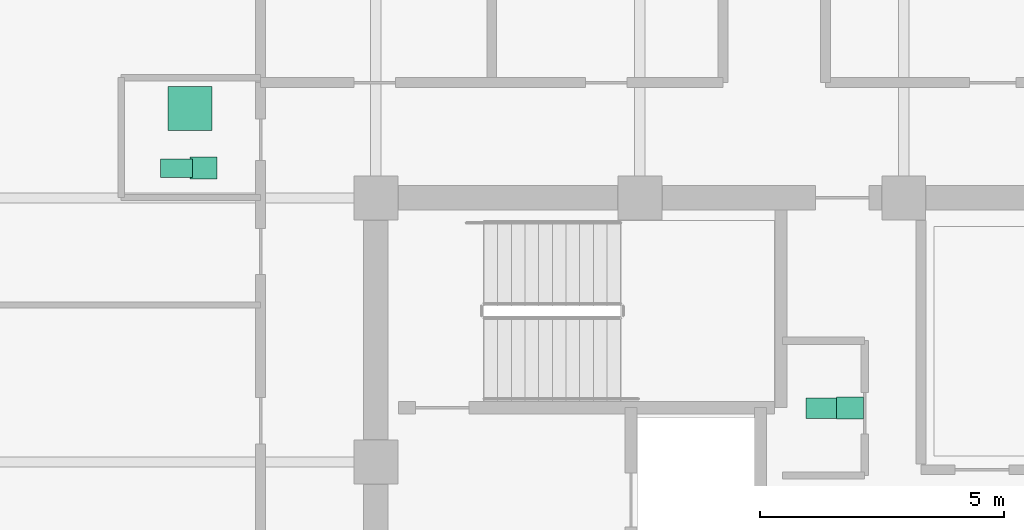
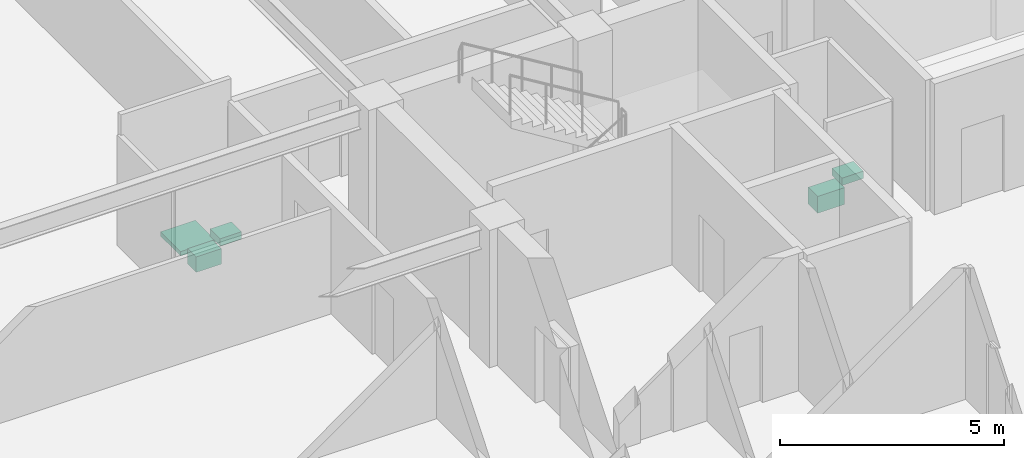
# One storey, part 31 of 31: 5 sanitary terminals.
"""IFC4 building model written with IfcOpenShell, lengths in metres."""

from ifc_helpers import new_model, si_unit, direction, frame, origin, origin_2d, place, context, subcontext, project, spatial, rectangle, extrude, material, type_object, element, save


model = new_model("IFC4")

# Units and contexts
model_context = context("Model", 3, precision=1e-05, world=origin(), true_north=direction((0.0, 1.0)))
body_context = subcontext(model_context, "Body", "Model", "MODEL_VIEW")
ifc_project = project(units=[si_unit("LENGTHUNIT", "METRE"), si_unit("AREAUNIT", "SQUARE_METRE"), si_unit("VOLUMEUNIT", "CUBIC_METRE"), si_unit("PLANEANGLEUNIT", "RADIAN"), si_unit("MASSUNIT", "GRAM", prefix="KILO")], contexts=[model_context])

# Site, building, storey
site_placement = place(None, origin())
site = spatial("IfcSite", under=ifc_project, at=site_placement, CompositionType="ELEMENT")
building_placement = place(site_placement, origin())
building = spatial("IfcBuilding", under=site, at=building_placement, Name="Surkhivell Harbour Commons", CompositionType="ELEMENT")
storey_placement = place(building_placement, frame((0.0, 0.0, 288.75)))
storey = spatial("IfcBuildingStorey", under=building, at=storey_placement, Name="L75", CompositionType="ELEMENT", Elevation=288.75)

# Sanitary terminals
ifc_material_1 = material(Name="Vitreous china washbasin", Category="other")
sanitary_terminal_type_1 = type_object("IfcSanitaryTerminalType", Name="SAN-BSN", PredefinedType="WASHHANDBASIN", material=ifc_material_1)
for number, where, z_axis, x_axis, name in (
    (1, (-1.10009765625, 6.5, 0.72021484375), (0.0, 0.0, 1.0), (1.0, 0.0, 0.0), "L75 Core Accessible WC Washbasin"),
    (2, (-14.330078125, 11.409912109375, 0.72021484375), (0.0, 0.0, 1.0), (1.0, 0.0, 0.0), "L75 West Communal Bathroom WC Washbasin"),
):
    element("IfcSanitaryTerminal", number, at=place(storey_placement, frame(where, z_axis=z_axis, x_axis=x_axis)), inside=storey, type_object=sanitary_terminal_type_1, Name=name, PredefinedType="WASHHANDBASIN", context=body_context, shape_type="SweptSolid", body=[
        extrude(rectangle(XDim=0.550048828125, YDim=0.449951171875, at=origin_2d()), origin(), (0.0, 0.0, 1.0), 0.199951171875),
    ])
ifc_material_2 = material(Name="Glazed porcelain shower tray", Category="other")
sanitary_terminal_type_2 = type_object("IfcSanitaryTerminalType", Name="SAN-SHW", PredefinedType="SHOWER", material=ifc_material_2)
sanitary_terminal_1_placement = place(storey_placement, frame((-14.60009765625, 12.6298828125, 0.0), z_axis=(0.0, 0.0, 1.0), x_axis=(1.0, 0.0, 0.0)))
element("IfcSanitaryTerminal", 3, at=sanitary_terminal_1_placement, inside=storey, type_object=sanitary_terminal_type_2, Name="L75 West Communal Shower Tray", PredefinedType="SHOWER", context=body_context, shape_type="SweptSolid", body=[
    extrude(rectangle(XDim=0.89990234375, YDim=0.89990234375, at=origin_2d()), origin(), (0.0, 0.0, 1.0), 0.1201171875),
])
ifc_material_3 = material(Name="Vitreous china sanitaryware", Category="other")
sanitary_terminal_type_3 = type_object("IfcSanitaryTerminalType", Name="SAN-WC-ACC", PredefinedType="TOILETPAN", material=ifc_material_3)
sanitary_terminal_2_placement = place(storey_placement, frame((-1.64990234375, 6.5, 0.169921875), z_axis=(0.0, 0.0, 1.0), x_axis=(1.0, 0.0, 0.0)))
element("IfcSanitaryTerminal", 4, at=sanitary_terminal_2_placement, inside=storey, type_object=sanitary_terminal_type_3, Name="L75 Core Accessible WC", PredefinedType="TOILETPAN", context=body_context, shape_type="SweptSolid", body=[
    extrude(rectangle(XDim=0.699951171875, YDim=0.419921875, at=origin_2d()), origin(), (0.0, 0.0, 1.0), 0.4599609375),
])
sanitary_terminal_type_4 = type_object("IfcSanitaryTerminalType", Name="SAN-WC-STD", PredefinedType="TOILETPAN", material=ifc_material_3)
sanitary_terminal_3_placement = place(storey_placement, frame((-14.8798828125, 11.409912109375, 0.18994140625), z_axis=(0.0, 0.0, 1.0), x_axis=(1.0, 0.0, 0.0)))
element("IfcSanitaryTerminal", 5, at=sanitary_terminal_3_placement, inside=storey, type_object=sanitary_terminal_type_4, Name="L75 West Communal Bathroom WC", PredefinedType="TOILETPAN", context=body_context, shape_type="SweptSolid", body=[
    extrude(rectangle(XDim=0.64990234375, YDim=0.3798828125, at=origin_2d()), origin(), (0.0, 0.0, 1.0), 0.419921875),
])

save(model, "model.ifc")
